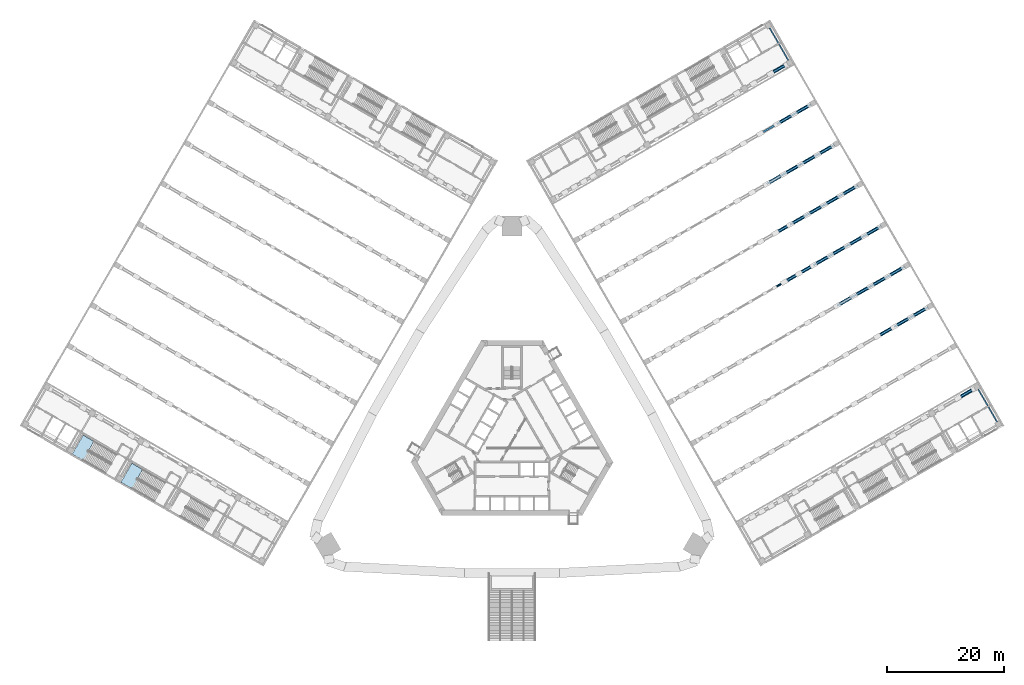
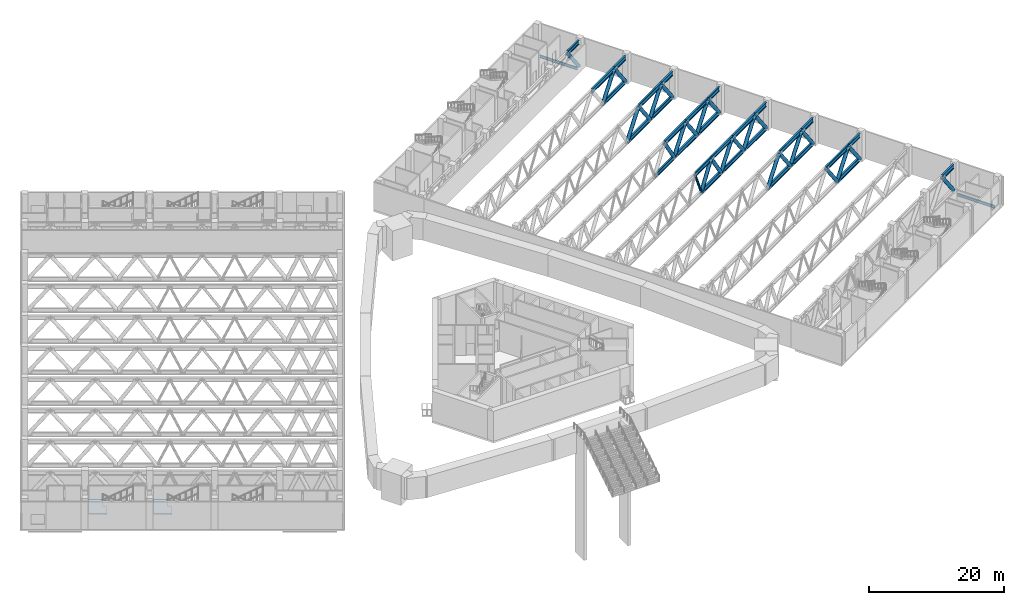
# One storey, part 11 of 37: 56 members, 2 beams, 2 slabs, 2 elements without a shape of their own.
"""IFC4 building model written with IfcOpenShell, lengths in metres."""

from ifc_helpers import new_model, si_unit, direction, frame, origin, origin_2d, place, context, subcontext, project, spatial, polyline, hollow_circle, i_section, outline, extrude, material, layer, layer_set, material_profile, profile_set, type_object, element, aggregate, save


model = new_model("IFC4")

# Units and contexts
model_context = context("Model", 3, precision=1e-05, world=origin(), true_north=direction((0.0, 1.0)))
body_context = subcontext(model_context, "Body", "Model", "MODEL_VIEW")
ifc_project = project(units=[si_unit("LENGTHUNIT", "METRE"), si_unit("AREAUNIT", "SQUARE_METRE"), si_unit("VOLUMEUNIT", "CUBIC_METRE"), si_unit("PLANEANGLEUNIT", "RADIAN"), si_unit("MASSUNIT", "GRAM", prefix="KILO")], contexts=[model_context])

# Site, building, storey
site_placement = place(None, origin())
site = spatial("IfcSite", under=ifc_project, at=site_placement, CompositionType="ELEMENT")
building_placement = place(site_placement, origin())
building = spatial("IfcBuilding", under=site, at=building_placement, Name="Mestral Congress Tower", CompositionType="ELEMENT")
storey_placement = place(building_placement, frame((0.0, 0.0, 16.199951171875)))
storey = spatial("IfcBuildingStorey", under=building, at=storey_placement, Name="L03", CompositionType="ELEMENT", Elevation=16.199951171875)

# Beams
ifc_material_1 = material(Name="Steel S355", Category="steel")
ifc_material_profile_1 = material_profile(ifc_material_1, i_section(OverallWidth=0.199951171875, OverallDepth=0.5, WebThickness=0.01025390625, FlangeThickness=0.01611328125, FilletRadius=0.02099609375, at=origin_2d()), Name="IPE 500")
ifc_profile_set_1 = profile_set([ifc_material_profile_1], Name="Steel S355")
beam_type = type_object("IfcBeamType", Name="Floor beam IPE 500 S355", PredefinedType="BEAM", material=ifc_profile_set_1)
beam_1_placement = place(storey_placement, frame((82.84228515625, 2.968994140625, -0.550048828125), z_axis=(-0.499999833739, 0.866025499775, 0.0), x_axis=(-0.866025499775, -0.499999833739, 0.0)))
element("IfcBeam", 1, at=beam_1_placement, inside=storey, type_object=beam_type, Name="BM-L03-E-U01F", PredefinedType="BEAM", context=body_context, shape_type="SweptSolid", body=[
    extrude(i_section(OverallWidth=0.199951171875, OverallDepth=0.5, WebThickness=0.01025390625, FlangeThickness=0.01611328125, FilletRadius=0.02099609375, at=origin_2d()), origin(), (0.0, 0.0, 1.0), 6.39990234375),
])
beam_2_placement = place(storey_placement, frame((47.1923828125, 64.716552734375, -0.550048828125), z_axis=(-0.500028443584, 0.866008981251, 0.0), x_axis=(-0.866008981251, -0.500028443584, 0.0)))
element("IfcBeam", 2, at=beam_2_placement, inside=storey, type_object=beam_type, Name="BM-L03-E-U10F", PredefinedType="BEAM", context=body_context, shape_type="SweptSolid", body=[
    extrude(i_section(OverallWidth=0.199951171875, OverallDepth=0.5, WebThickness=0.01025390625, FlangeThickness=0.01611328125, FilletRadius=0.02099609375, at=origin_2d()), origin(), (0.0, 0.0, 1.0), 6.400146484375),
])

# Members
ifc_material_profile_2 = material_profile(ifc_material_1, i_section(OverallWidth=0.300048828125, OverallDepth=0.800048828125, WebThickness=0.017578125, FlangeThickness=0.032958984375, FilletRadius=0.030029296875, at=origin_2d()), Name="HEB 800")
ifc_profile_set_2 = profile_set([ifc_material_profile_2], Name="Steel S355")
member_type_1 = type_object("IfcMemberType", Name="Truss chord HEB 800 S355", PredefinedType="CHORD", material=ifc_profile_set_2)
member_1_placement = place(storey_placement, frame((76.148193359375, 7.013671875, 4.699951171875), z_axis=(0.866002163101, 0.500040251884, 0.0), x_axis=(-0.500040251884, 0.866002163101, 0.0)))
element("IfcMember", 3, at=member_1_placement, inside=storey, type_object=member_type_1, Name="MB-E-T1-TC10", PredefinedType="CHORD", context=body_context, shape_type="SweptSolid", body=[
    extrude(i_section(OverallWidth=0.300048828125, OverallDepth=0.800048828125, WebThickness=0.017578125, FlangeThickness=0.032958984375, FilletRadius=0.030029296875, at=origin_2d()), origin(), (0.0, 0.0, 1.0), 3.324951171875),
])
for number, where, z_axis, x_axis, name in (
    (4, (65.2685546875, 19.20751953125, 0.400146484375), (0.86601134256, 0.500024353964, 0.0), (-0.500024353964, 0.86601134256, 0.0), "MB-E-T3-BC09"),
    (5, (62.388916015625, 17.545166015625, 4.699951171875), (0.866036417653, 0.499980922934, 0.0), (-0.499980922934, 0.866036417653, 0.0), "MB-E-T3-TC09"),
):
    element("IfcMember", number, at=place(storey_placement, frame(where, z_axis=z_axis, x_axis=x_axis)), inside=storey, type_object=member_type_1, Name=name, PredefinedType="CHORD", context=body_context, shape_type="SweptSolid", body=[
        extrude(i_section(OverallWidth=0.300048828125, OverallDepth=0.800048828125, WebThickness=0.017578125, FlangeThickness=0.032958984375, FilletRadius=0.030029296875, at=origin_2d()), origin(), (0.0, 0.0, 1.0), 6.650146484375),
    ])
member_2_placement = place(storey_placement, frame((68.148193359375, 20.8701171875, 4.699951171875), z_axis=(0.866002163101, 0.500040251884, 0.0), x_axis=(-0.500040251884, 0.866002163101, 0.0)))
element("IfcMember", 6, at=member_2_placement, inside=storey, type_object=member_type_1, Name="MB-E-T3-TC10", PredefinedType="CHORD", context=body_context, shape_type="SweptSolid", body=[
    extrude(i_section(OverallWidth=0.300048828125, OverallDepth=0.800048828125, WebThickness=0.017578125, FlangeThickness=0.032958984375, FilletRadius=0.030029296875, at=origin_2d()), origin(), (0.0, 0.0, 1.0), 3.324951171875),
])
for number, where, z_axis, x_axis, name in (
    (7, (55.509521484375, 22.810791015625, 0.400146484375), (0.866027239912, 0.49999681972, 0.0), (-0.49999681972, 0.866027239912, 0.0), "MB-E-T4-BC08"),
    (8, (61.2685546875, 26.1357421875, 0.400146484375), (0.866027239912, 0.49999681972, 0.0), (-0.49999681972, 0.866027239912, 0.0), "MB-E-T4-BC09"),
):
    element("IfcMember", number, at=place(storey_placement, frame(where, z_axis=z_axis, x_axis=x_axis)), inside=storey, type_object=member_type_1, Name=name, PredefinedType="CHORD", context=body_context, shape_type="SweptSolid", body=[
        extrude(i_section(OverallWidth=0.300048828125, OverallDepth=0.800048828125, WebThickness=0.017578125, FlangeThickness=0.032958984375, FilletRadius=0.030029296875, at=origin_2d()), origin(), (0.0, 0.0, 1.0), 6.64990234375),
    ])
member_3_placement = place(storey_placement, frame((58.388916015625, 24.473388671875, 4.699951171875), z_axis=(0.866036417653, 0.499980922934, 0.0), x_axis=(-0.499980922934, 0.866036417653, 0.0)))
element("IfcMember", 9, at=member_3_placement, inside=storey, type_object=member_type_1, Name="MB-E-T4-TC09", PredefinedType="CHORD", context=body_context, shape_type="SweptSolid", body=[
    extrude(i_section(OverallWidth=0.300048828125, OverallDepth=0.800048828125, WebThickness=0.017578125, FlangeThickness=0.032958984375, FilletRadius=0.030029296875, at=origin_2d()), origin(), (0.0, 0.0, 1.0), 6.650146484375),
])
member_4_placement = place(storey_placement, frame((64.148193359375, 27.79833984375, 4.699951171875), z_axis=(0.866033959199, 0.499985181294, 0.0), x_axis=(-0.499985181294, 0.866033959199, 0.0)))
element("IfcMember", 10, at=member_4_placement, inside=storey, type_object=member_type_1, Name="MB-E-T4-TC10", PredefinedType="CHORD", context=body_context, shape_type="SweptSolid", body=[
    extrude(i_section(OverallWidth=0.300048828125, OverallDepth=0.800048828125, WebThickness=0.017578125, FlangeThickness=0.032958984375, FilletRadius=0.030029296875, at=origin_2d()), origin(), (0.0, 0.0, 1.0), 3.32470703125),
])
member_5_placement = place(storey_placement, frame((46.486572265625, 26.839111328125, 0.400146484375), z_axis=(0.866032775405, 0.499987231761, 0.0), x_axis=(-0.499987231761, 0.866032775405, 0.0)))
element("IfcMember", 11, at=member_5_placement, inside=storey, type_object=member_type_1, Name="MB-E-T5-BC07", PredefinedType="CHORD", context=body_context, shape_type="SweptSolid", body=[
    extrude(i_section(OverallWidth=0.300048828125, OverallDepth=0.800048828125, WebThickness=0.017578125, FlangeThickness=0.032958984375, FilletRadius=0.030029296875, at=origin_2d()), origin(), (0.0, 0.0, 1.0), 5.800048828125),
])
for number, where, z_axis, x_axis, name in (
    (12, (51.509521484375, 29.739013671875, 0.400146484375), (0.866027239912, 0.49999681972, 0.0), (-0.49999681972, 0.866027239912, 0.0), "MB-E-T5-BC08"),
    (13, (57.2685546875, 33.06396484375, 0.400146484375), (0.866027239912, 0.49999681972, 0.0), (-0.49999681972, 0.866027239912, 0.0), "MB-E-T5-BC09"),
):
    element("IfcMember", number, at=place(storey_placement, frame(where, z_axis=z_axis, x_axis=x_axis)), inside=storey, type_object=member_type_1, Name=name, PredefinedType="CHORD", context=body_context, shape_type="SweptSolid", body=[
        extrude(i_section(OverallWidth=0.300048828125, OverallDepth=0.800048828125, WebThickness=0.017578125, FlangeThickness=0.032958984375, FilletRadius=0.030029296875, at=origin_2d()), origin(), (0.0, 0.0, 1.0), 6.64990234375),
    ])
member_6_placement = place(storey_placement, frame((44.841064453125, 25.888916015625, 4.699951171875), z_axis=(0.866015339567, 0.500017431331, 0.0), x_axis=(-0.500017431331, 0.866015339567, 0.0)))
element("IfcMember", 14, at=member_6_placement, inside=storey, type_object=member_type_1, Name="MB-E-T5-TC07", PredefinedType="CHORD", context=body_context, shape_type="SweptSolid", body=[
    extrude(i_section(OverallWidth=0.300048828125, OverallDepth=0.800048828125, WebThickness=0.017578125, FlangeThickness=0.032958984375, FilletRadius=0.030029296875, at=origin_2d()), origin(), (0.0, 0.0, 1.0), 4.800048828125),
])
member_7_placement = place(storey_placement, frame((48.998046875, 28.2890625, 4.699951171875), z_axis=(0.866016424762, 0.5000155518, 0.0), x_axis=(-0.5000155518, 0.866016424762, 0.0)))
element("IfcMember", 15, at=member_7_placement, inside=storey, type_object=member_type_1, Name="MB-E-T5-TC08", PredefinedType="CHORD", context=body_context, shape_type="SweptSolid", body=[
    extrude(i_section(OverallWidth=0.300048828125, OverallDepth=0.800048828125, WebThickness=0.017578125, FlangeThickness=0.032958984375, FilletRadius=0.030029296875, at=origin_2d()), origin(), (0.0, 0.0, 1.0), 6.224853515625),
])
member_8_placement = place(storey_placement, frame((54.388916015625, 31.401611328125, 4.699951171875), z_axis=(0.866036417653, 0.499980922934, 0.0), x_axis=(-0.499980922934, 0.866036417653, 0.0)))
element("IfcMember", 16, at=member_8_placement, inside=storey, type_object=member_type_1, Name="MB-E-T5-TC09", PredefinedType="CHORD", context=body_context, shape_type="SweptSolid", body=[
    extrude(i_section(OverallWidth=0.300048828125, OverallDepth=0.800048828125, WebThickness=0.017578125, FlangeThickness=0.032958984375, FilletRadius=0.030029296875, at=origin_2d()), origin(), (0.0, 0.0, 1.0), 6.650146484375),
])
member_9_placement = place(storey_placement, frame((60.148193359375, 34.7265625, 4.699951171875), z_axis=(0.866033959199, 0.499985181294, 0.0), x_axis=(-0.499985181294, 0.866033959199, 0.0)))
element("IfcMember", 17, at=member_9_placement, inside=storey, type_object=member_type_1, Name="MB-E-T5-TC10", PredefinedType="CHORD", context=body_context, shape_type="SweptSolid", body=[
    extrude(i_section(OverallWidth=0.300048828125, OverallDepth=0.800048828125, WebThickness=0.017578125, FlangeThickness=0.032958984375, FilletRadius=0.030029296875, at=origin_2d()), origin(), (0.0, 0.0, 1.0), 3.32470703125),
])
member_10_placement = place(storey_placement, frame((42.486572265625, 33.76708984375, 0.400146484375), z_axis=(0.86601454848, 0.500018801468, 0.0), x_axis=(-0.500018801468, 0.86601454848, 0.0)))
element("IfcMember", 18, at=member_10_placement, inside=storey, type_object=member_type_1, Name="MB-E-T6-BC07", PredefinedType="CHORD", context=body_context, shape_type="SweptSolid", body=[
    extrude(i_section(OverallWidth=0.300048828125, OverallDepth=0.800048828125, WebThickness=0.017578125, FlangeThickness=0.032958984375, FilletRadius=0.030029296875, at=origin_2d()), origin(), (0.0, 0.0, 1.0), 5.800048828125),
])
for number, where, z_axis, x_axis, name in (
    (19, (47.509521484375, 36.667236328125, 0.400146484375), (0.866027239912, 0.49999681972, 0.0), (-0.49999681972, 0.866027239912, 0.0), "MB-E-T6-BC08"),
    (20, (53.2685546875, 39.9921875, 0.400146484375), (0.866027239912, 0.49999681972, 0.0), (-0.49999681972, 0.866027239912, 0.0), "MB-E-T6-BC09"),
):
    element("IfcMember", number, at=place(storey_placement, frame(where, z_axis=z_axis, x_axis=x_axis)), inside=storey, type_object=member_type_1, Name=name, PredefinedType="CHORD", context=body_context, shape_type="SweptSolid", body=[
        extrude(i_section(OverallWidth=0.300048828125, OverallDepth=0.800048828125, WebThickness=0.017578125, FlangeThickness=0.032958984375, FilletRadius=0.030029296875, at=origin_2d()), origin(), (0.0, 0.0, 1.0), 6.64990234375),
    ])
member_11_placement = place(storey_placement, frame((44.998046875, 35.21728515625, 4.699951171875), z_axis=(0.866033407698, 0.499986136558, 0.0), x_axis=(-0.499986136558, 0.866033407698, 0.0)))
element("IfcMember", 21, at=member_11_placement, inside=storey, type_object=member_type_1, Name="MB-E-T6-TC08", PredefinedType="CHORD", context=body_context, shape_type="SweptSolid", body=[
    extrude(i_section(OverallWidth=0.300048828125, OverallDepth=0.800048828125, WebThickness=0.017578125, FlangeThickness=0.032958984375, FilletRadius=0.030029296875, at=origin_2d()), origin(), (0.0, 0.0, 1.0), 6.224853515625),
])
member_12_placement = place(storey_placement, frame((50.388916015625, 38.32958984375, 4.699951171875), z_axis=(0.866020521143, 0.500008456887, 0.0), x_axis=(-0.500008456887, 0.866020521143, 0.0)))
element("IfcMember", 22, at=member_12_placement, inside=storey, type_object=member_type_1, Name="MB-E-T6-TC09", PredefinedType="CHORD", context=body_context, shape_type="SweptSolid", body=[
    extrude(i_section(OverallWidth=0.300048828125, OverallDepth=0.800048828125, WebThickness=0.017578125, FlangeThickness=0.032958984375, FilletRadius=0.030029296875, at=origin_2d()), origin(), (0.0, 0.0, 1.0), 6.650390625),
])
member_13_placement = place(storey_placement, frame((56.148193359375, 41.65478515625, 4.699951171875), z_axis=(0.866033959199, 0.499985181294, 0.0), x_axis=(-0.499985181294, 0.866033959199, 0.0)))
element("IfcMember", 23, at=member_13_placement, inside=storey, type_object=member_type_1, Name="MB-E-T6-TC10", PredefinedType="CHORD", context=body_context, shape_type="SweptSolid", body=[
    extrude(i_section(OverallWidth=0.300048828125, OverallDepth=0.800048828125, WebThickness=0.017578125, FlangeThickness=0.032958984375, FilletRadius=0.030029296875, at=origin_2d()), origin(), (0.0, 0.0, 1.0), 3.32470703125),
])
for number, where, z_axis, x_axis, name in (
    (24, (43.509521484375, 43.595458984375, 0.400146484375), (0.866027239912, 0.49999681972, 0.0), (-0.49999681972, 0.866027239912, 0.0), "MB-E-T7-BC08"),
    (25, (49.2685546875, 46.92041015625, 0.400146484375), (0.866027239912, 0.49999681972, 0.0), (-0.49999681972, 0.866027239912, 0.0), "MB-E-T7-BC09"),
):
    element("IfcMember", number, at=place(storey_placement, frame(where, z_axis=z_axis, x_axis=x_axis)), inside=storey, type_object=member_type_1, Name=name, PredefinedType="CHORD", context=body_context, shape_type="SweptSolid", body=[
        extrude(i_section(OverallWidth=0.300048828125, OverallDepth=0.800048828125, WebThickness=0.017578125, FlangeThickness=0.032958984375, FilletRadius=0.030029296875, at=origin_2d()), origin(), (0.0, 0.0, 1.0), 6.64990234375),
    ])
member_14_placement = place(storey_placement, frame((46.388916015625, 45.2578125, 4.699951171875), z_axis=(0.866020521143, 0.500008456887, 0.0), x_axis=(-0.500008456887, 0.866020521143, 0.0)))
element("IfcMember", 26, at=member_14_placement, inside=storey, type_object=member_type_1, Name="MB-E-T7-TC09", PredefinedType="CHORD", context=body_context, shape_type="SweptSolid", body=[
    extrude(i_section(OverallWidth=0.300048828125, OverallDepth=0.800048828125, WebThickness=0.017578125, FlangeThickness=0.032958984375, FilletRadius=0.030029296875, at=origin_2d()), origin(), (0.0, 0.0, 1.0), 6.650390625),
])
member_15_placement = place(storey_placement, frame((52.148193359375, 48.5830078125, 4.699951171875), z_axis=(0.866033959199, 0.499985181294, 0.0), x_axis=(-0.499985181294, 0.866033959199, 0.0)))
element("IfcMember", 27, at=member_15_placement, inside=storey, type_object=member_type_1, Name="MB-E-T7-TC10", PredefinedType="CHORD", context=body_context, shape_type="SweptSolid", body=[
    extrude(i_section(OverallWidth=0.300048828125, OverallDepth=0.800048828125, WebThickness=0.017578125, FlangeThickness=0.032958984375, FilletRadius=0.030029296875, at=origin_2d()), origin(), (0.0, 0.0, 1.0), 3.32470703125),
])
member_16_placement = place(storey_placement, frame((45.2685546875, 53.8486328125, 0.400146484375), z_axis=(0.866027239912, 0.49999681972, 0.0), x_axis=(-0.49999681972, 0.866027239912, 0.0)))
element("IfcMember", 28, at=member_16_placement, inside=storey, type_object=member_type_1, Name="MB-E-T8-BC09", PredefinedType="CHORD", context=body_context, shape_type="SweptSolid", body=[
    extrude(i_section(OverallWidth=0.300048828125, OverallDepth=0.800048828125, WebThickness=0.017578125, FlangeThickness=0.032958984375, FilletRadius=0.030029296875, at=origin_2d()), origin(), (0.0, 0.0, 1.0), 6.64990234375),
])
member_17_placement = place(storey_placement, frame((42.388916015625, 52.18603515625, 4.699951171875), z_axis=(0.866036417653, 0.499980922934, 0.0), x_axis=(-0.499980922934, 0.866036417653, 0.0)))
element("IfcMember", 29, at=member_17_placement, inside=storey, type_object=member_type_1, Name="MB-E-T8-TC09", PredefinedType="CHORD", context=body_context, shape_type="SweptSolid", body=[
    extrude(i_section(OverallWidth=0.300048828125, OverallDepth=0.800048828125, WebThickness=0.017578125, FlangeThickness=0.032958984375, FilletRadius=0.030029296875, at=origin_2d()), origin(), (0.0, 0.0, 1.0), 6.650146484375),
])
for number, where, z_axis, x_axis, name in (
    (30, (48.148193359375, 55.510986328125, 4.699951171875), (0.866002163101, 0.500040251884, 0.0), (-0.500040251884, 0.866002163101, 0.0), "MB-E-T8-TC10"),
    (31, (44.148193359375, 62.439208984375, 4.699951171875), (0.866002163101, 0.500040251884, 0.0), (-0.500040251884, 0.866002163101, 0.0), "MB-E-T9-TC10"),
):
    element("IfcMember", number, at=place(storey_placement, frame(where, z_axis=z_axis, x_axis=x_axis)), inside=storey, type_object=member_type_1, Name=name, PredefinedType="CHORD", context=body_context, shape_type="SweptSolid", body=[
        extrude(i_section(OverallWidth=0.300048828125, OverallDepth=0.800048828125, WebThickness=0.017578125, FlangeThickness=0.032958984375, FilletRadius=0.030029296875, at=origin_2d()), origin(), (0.0, 0.0, 1.0), 3.324951171875),
    ])
ifc_material_profile_3 = material_profile(ifc_material_1, hollow_circle(Radius=0.203125, WallThickness=0.01611328125, at=origin_2d()), Name="CHS 406.4x16")
ifc_profile_set_3 = profile_set([ifc_material_profile_3], Name="Steel S355")
member_type_2 = type_object("IfcMemberType", Name="Truss diagonal CHS 406.4x16 S355", PredefinedType="BRACE", material=ifc_profile_set_3)
member_18_placement = place(storey_placement, frame((44.841064453125, 25.888916015625, 4.699951171875), z_axis=(0.35003763718, 0.202128558443, -0.914668081011), x_axis=(-0.500063520245, 0.865988727248, 0.0)))
element("IfcMember", 32, at=member_18_placement, inside=storey, type_object=member_type_2, Name="MB-E-T5-D12", PredefinedType="BRACE", context=body_context, shape_type="SweptSolid", body=[
    extrude(hollow_circle(Radius=0.203125, WallThickness=0.01611328125, at=origin_2d()), origin(), (0.0, 0.0, 1.0), 4.700927734375),
])
ifc_material_profile_4 = material_profile(ifc_material_1, hollow_circle(Radius=0.304931640625, WallThickness=0.02490234375, at=origin_2d()), Name="CHS 610x25")
ifc_profile_set_4 = profile_set([ifc_material_profile_4], Name="Steel S355")
member_type_3 = type_object("IfcMemberType", Name="Truss diagonal CHS 610x25 S355", PredefinedType="BRACE", material=ifc_profile_set_4)
member_19_placement = place(storey_placement, frame((76.148193359375, 7.013671875, 4.699951171875), z_axis=(0.529749391364, 0.305883784567, -0.791075655477), x_axis=(-0.500040251884, 0.866002163101, 0.0)))
element("IfcMember", 33, at=member_19_placement, inside=storey, type_object=member_type_3, Name="MB-E-T1-D18", PredefinedType="BRACE", context=body_context, shape_type="SweptSolid", body=[
    extrude(hollow_circle(Radius=0.304931640625, WallThickness=0.02490234375, at=origin_2d()), origin(), (0.0, 0.0, 1.0), 5.435302734375),
])
for number, where, z_axis, x_axis, name in (
    (34, (62.388916015625, 17.545166015625, 4.699951171875), (0.529788979969, 0.305835791828, -0.791067699467), (-0.499953387465, 0.866052313871, 0.0), "MB-E-T3-D16"),
    (35, (65.2685546875, 19.20751953125, 0.400146484375), (0.52978170185, 0.305876506113, 0.791056831961), (-0.500008456887, 0.866020521143, 0.0), "MB-E-T3-D17"),
):
    element("IfcMember", number, at=place(storey_placement, frame(where, z_axis=z_axis, x_axis=x_axis)), inside=storey, type_object=member_type_3, Name=name, PredefinedType="BRACE", context=body_context, shape_type="SweptSolid", body=[
        extrude(hollow_circle(Radius=0.304931640625, WallThickness=0.02490234375, at=origin_2d()), origin(), (0.0, 0.0, 1.0), 5.435546875),
    ])
for number, where, z_axis, x_axis, name in (
    (36, (68.148193359375, 20.8701171875, 4.699951171875), (0.529749391364, 0.305883784567, -0.791075655477), (-0.500040251884, 0.866002163101, 0.0), "MB-E-T3-D18"),
    (37, (55.509521484375, 22.810791015625, 0.400146484375), (0.529749391364, 0.305883784567, 0.791075655477), (-0.500040251884, 0.866002163101, 0.0), "MB-E-T4-D15"),
):
    element("IfcMember", number, at=place(storey_placement, frame(where, z_axis=z_axis, x_axis=x_axis)), inside=storey, type_object=member_type_3, Name=name, PredefinedType="BRACE", context=body_context, shape_type="SweptSolid", body=[
        extrude(hollow_circle(Radius=0.304931640625, WallThickness=0.02490234375, at=origin_2d()), origin(), (0.0, 0.0, 1.0), 5.435302734375),
    ])
for number, where, z_axis, x_axis, name in (
    (38, (58.388916015625, 24.473388671875, 4.699951171875), (0.529788979969, 0.305835791828, -0.791067699467), (-0.499953387465, 0.866052313871, 0.0), "MB-E-T4-D16"),
    (39, (61.2685546875, 26.1357421875, 0.400146484375), (0.52978170185, 0.305876506113, 0.791056831961), (-0.500008456887, 0.866020521143, 0.0), "MB-E-T4-D17"),
):
    element("IfcMember", number, at=place(storey_placement, frame(where, z_axis=z_axis, x_axis=x_axis)), inside=storey, type_object=member_type_3, Name=name, PredefinedType="BRACE", context=body_context, shape_type="SweptSolid", body=[
        extrude(hollow_circle(Radius=0.304931640625, WallThickness=0.02490234375, at=origin_2d()), origin(), (0.0, 0.0, 1.0), 5.435546875),
    ])
member_20_placement = place(storey_placement, frame((64.148193359375, 27.79833984375, 4.699951171875), z_axis=(0.529756669385, 0.305843069514, -0.791086523759), x_axis=(-0.499985181294, 0.866033959199, 0.0)))
element("IfcMember", 40, at=member_20_placement, inside=storey, type_object=member_type_3, Name="MB-E-T4-D18", PredefinedType="BRACE", context=body_context, shape_type="SweptSolid", body=[
    extrude(hollow_circle(Radius=0.304931640625, WallThickness=0.02490234375, at=origin_2d()), origin(), (0.0, 0.0, 1.0), 5.435302734375),
])
for number, where, z_axis, x_axis, name in (
    (41, (46.486572265625, 26.839111328125, 0.400146484375), (0.484247420666, 0.279570859467, 0.829062464544), (-0.499987231761, 0.866032775405, 0.0), "MB-E-T5-D13"),
    (42, (48.998046875, 28.2890625, 4.699951171875), (0.484247420666, 0.279570859467, -0.829062464544), (-0.499987231761, 0.866032775405, 0.0), "MB-E-T5-D14"),
):
    element("IfcMember", number, at=place(storey_placement, frame(where, z_axis=z_axis, x_axis=x_axis)), inside=storey, type_object=member_type_3, Name=name, PredefinedType="BRACE", context=body_context, shape_type="SweptSolid", body=[
        extrude(hollow_circle(Radius=0.304931640625, WallThickness=0.02490234375, at=origin_2d()), origin(), (0.0, 0.0, 1.0), 5.186279296875),
    ])
member_21_placement = place(storey_placement, frame((51.509521484375, 29.739013671875, 0.400146484375), z_axis=(0.529749391364, 0.305883784567, 0.791075655477), x_axis=(-0.500040251884, 0.866002163101, 0.0)))
element("IfcMember", 43, at=member_21_placement, inside=storey, type_object=member_type_3, Name="MB-E-T5-D15", PredefinedType="BRACE", context=body_context, shape_type="SweptSolid", body=[
    extrude(hollow_circle(Radius=0.304931640625, WallThickness=0.02490234375, at=origin_2d()), origin(), (0.0, 0.0, 1.0), 5.435302734375),
])
for number, where, z_axis, x_axis, name in (
    (44, (54.388916015625, 31.401611328125, 4.699951171875), (0.529788979969, 0.305835791828, -0.791067699467), (-0.499953387465, 0.866052313871, 0.0), "MB-E-T5-D16"),
    (45, (57.2685546875, 33.06396484375, 0.400146484375), (0.52978170185, 0.305876506113, 0.791056831961), (-0.500008456887, 0.866020521143, 0.0), "MB-E-T5-D17"),
):
    element("IfcMember", number, at=place(storey_placement, frame(where, z_axis=z_axis, x_axis=x_axis)), inside=storey, type_object=member_type_3, Name=name, PredefinedType="BRACE", context=body_context, shape_type="SweptSolid", body=[
        extrude(hollow_circle(Radius=0.304931640625, WallThickness=0.02490234375, at=origin_2d()), origin(), (0.0, 0.0, 1.0), 5.435546875),
    ])
member_22_placement = place(storey_placement, frame((60.148193359375, 34.7265625, 4.699951171875), z_axis=(0.529756669385, 0.305843069514, -0.791086523759), x_axis=(-0.499985181294, 0.866033959199, 0.0)))
element("IfcMember", 46, at=member_22_placement, inside=storey, type_object=member_type_3, Name="MB-E-T5-D18", PredefinedType="BRACE", context=body_context, shape_type="SweptSolid", body=[
    extrude(hollow_circle(Radius=0.304931640625, WallThickness=0.02490234375, at=origin_2d()), origin(), (0.0, 0.0, 1.0), 5.435302734375),
])
member_23_placement = place(storey_placement, frame((44.998046875, 35.21728515625, 4.699951171875), z_axis=(0.484247420666, 0.279570859467, -0.829062464544), x_axis=(-0.499987231761, 0.866032775405, 0.0)))
element("IfcMember", 47, at=member_23_placement, inside=storey, type_object=member_type_3, Name="MB-E-T6-D14", PredefinedType="BRACE", context=body_context, shape_type="SweptSolid", body=[
    extrude(hollow_circle(Radius=0.304931640625, WallThickness=0.02490234375, at=origin_2d()), origin(), (0.0, 0.0, 1.0), 5.186279296875),
])
member_24_placement = place(storey_placement, frame((47.509521484375, 36.667236328125, 0.400146484375), z_axis=(0.529756669385, 0.305843069514, 0.791086523759), x_axis=(-0.499985181294, 0.866033959199, 0.0)))
element("IfcMember", 48, at=member_24_placement, inside=storey, type_object=member_type_3, Name="MB-E-T6-D15", PredefinedType="BRACE", context=body_context, shape_type="SweptSolid", body=[
    extrude(hollow_circle(Radius=0.304931640625, WallThickness=0.02490234375, at=origin_2d()), origin(), (0.0, 0.0, 1.0), 5.435302734375),
])
for number, where, z_axis, x_axis, name in (
    (49, (50.388916015625, 38.32958984375, 4.699951171875), (0.52978170185, 0.305876506113, -0.791056831961), (-0.500008456887, 0.866020521143, 0.0), "MB-E-T6-D16"),
    (50, (53.2685546875, 39.9921875, 0.400146484375), (0.52978170185, 0.305876506113, 0.791056831961), (-0.500008456887, 0.866020521143, 0.0), "MB-E-T6-D17"),
):
    element("IfcMember", number, at=place(storey_placement, frame(where, z_axis=z_axis, x_axis=x_axis)), inside=storey, type_object=member_type_3, Name=name, PredefinedType="BRACE", context=body_context, shape_type="SweptSolid", body=[
        extrude(hollow_circle(Radius=0.304931640625, WallThickness=0.02490234375, at=origin_2d()), origin(), (0.0, 0.0, 1.0), 5.435546875),
    ])
for number, where, z_axis, x_axis, name in (
    (51, (56.148193359375, 41.65478515625, 4.699951171875), (0.529756669385, 0.305843069514, -0.791086523759), (-0.499985181294, 0.866033959199, 0.0), "MB-E-T6-D18"),
    (52, (43.509521484375, 43.595458984375, 0.400146484375), (0.529756669385, 0.305843069514, 0.791086523759), (-0.499985181294, 0.866033959199, 0.0), "MB-E-T7-D15"),
):
    element("IfcMember", number, at=place(storey_placement, frame(where, z_axis=z_axis, x_axis=x_axis)), inside=storey, type_object=member_type_3, Name=name, PredefinedType="BRACE", context=body_context, shape_type="SweptSolid", body=[
        extrude(hollow_circle(Radius=0.304931640625, WallThickness=0.02490234375, at=origin_2d()), origin(), (0.0, 0.0, 1.0), 5.435302734375),
    ])
for number, where, z_axis, x_axis, name in (
    (53, (46.388916015625, 45.2578125, 4.699951171875), (0.52978170185, 0.305876506113, -0.791056831961), (-0.500008456887, 0.866020521143, 0.0), "MB-E-T7-D16"),
    (54, (49.2685546875, 46.92041015625, 0.400146484375), (0.52978170185, 0.305876506113, 0.791056831961), (-0.500008456887, 0.866020521143, 0.0), "MB-E-T7-D17"),
):
    element("IfcMember", number, at=place(storey_placement, frame(where, z_axis=z_axis, x_axis=x_axis)), inside=storey, type_object=member_type_3, Name=name, PredefinedType="BRACE", context=body_context, shape_type="SweptSolid", body=[
        extrude(hollow_circle(Radius=0.304931640625, WallThickness=0.02490234375, at=origin_2d()), origin(), (0.0, 0.0, 1.0), 5.435546875),
    ])
member_25_placement = place(storey_placement, frame((52.148193359375, 48.5830078125, 4.699951171875), z_axis=(0.529756669385, 0.305843069514, -0.791086523759), x_axis=(-0.499985181294, 0.866033959199, 0.0)))
element("IfcMember", 55, at=member_25_placement, inside=storey, type_object=member_type_3, Name="MB-E-T7-D18", PredefinedType="BRACE", context=body_context, shape_type="SweptSolid", body=[
    extrude(hollow_circle(Radius=0.304931640625, WallThickness=0.02490234375, at=origin_2d()), origin(), (0.0, 0.0, 1.0), 5.435302734375),
])
member_26_placement = place(storey_placement, frame((45.2685546875, 53.8486328125, 0.400146484375), z_axis=(0.529788979969, 0.305835791828, 0.791067699467), x_axis=(-0.499953387465, 0.866052313871, 0.0)))
element("IfcMember", 56, at=member_26_placement, inside=storey, type_object=member_type_3, Name="MB-E-T8-D17", PredefinedType="BRACE", context=body_context, shape_type="SweptSolid", body=[
    extrude(hollow_circle(Radius=0.304931640625, WallThickness=0.02490234375, at=origin_2d()), origin(), (0.0, 0.0, 1.0), 5.435546875),
])
for number, where, z_axis, x_axis, name in (
    (57, (48.148193359375, 55.510986328125, 4.699951171875), (0.529749391364, 0.305883784567, -0.791075655477), (-0.500040251884, 0.866002163101, 0.0), "MB-E-T8-D18"),
    (58, (44.148193359375, 62.439208984375, 4.699951171875), (0.529749391364, 0.305883784567, -0.791075655477), (-0.500040251884, 0.866002163101, 0.0), "MB-E-T9-D18"),
):
    element("IfcMember", number, at=place(storey_placement, frame(where, z_axis=z_axis, x_axis=x_axis)), inside=storey, type_object=member_type_3, Name=name, PredefinedType="BRACE", context=body_context, shape_type="SweptSolid", body=[
        extrude(hollow_circle(Radius=0.304931640625, WallThickness=0.02490234375, at=origin_2d()), origin(), (0.0, 0.0, 1.0), 5.435302734375),
    ])

# Stair, slab
ifc_material_2 = material(Name="Concrete C40/50", Category="concrete")
stair_type = type_object("IfcStairType", Name="Podium exit stair 1800", PredefinedType="HALF_TURN_STAIR", material=ifc_material_2)
placement_1 = place(storey_placement, origin())
stair_1 = element("IfcStair", 59, at=placement_1, inside=storey, type_object=stair_type, Name="L03 Exit stair W5", PredefinedType="HALF_TURN_STAIR")
ifc_layer = layer(ifc_material_2, 0.199951171875)
ifc_layer_set = layer_set([ifc_layer], Name="Concrete C40/50")
slab_type = type_object("IfcSlabType", Name="Podium exit stair landing 200", PredefinedType="LANDING", material=ifc_layer_set)
placement_2 = place(storey_placement, frame((0.0, 0.0, 2.5)))
slab_1 = element("IfcSlab", 60, at=placement_2, type_object=slab_type, Name="PS-W5 landing 1", PredefinedType="LANDING", context=body_context, shape_type="SweptSolid", body=[
    extrude(outline(polyline([(-63.538818359375, -7.13671875), (-64.43896484375, -8.695556640625), (-66.79443359375, -7.33544921875), (-64.91943359375, -4.087890625), (-63.074951171875, -5.15283203125), (-64.0498046875, -6.841552734375), (-63.538818359375, -7.13671875)])), origin(), (0.0, 0.0, 1.0), 0.199951171875),
])
aggregate(stair_1, [slab_1])

stair_2 = element("IfcStair", 61, at=placement_1, inside=storey, type_object=stair_type, Name="L03 Exit stair W6", PredefinedType="HALF_TURN_STAIR")
slab_2 = element("IfcSlab", 62, at=placement_2, type_object=slab_type, Name="PS-W6 landing 1", PredefinedType="LANDING", context=body_context, shape_type="SweptSolid", body=[
    extrude(outline(polyline([(-71.852783203125, -2.336669921875), (-72.752685546875, -3.8955078125), (-75.1083984375, -2.535400390625), (-73.2333984375, 0.712158203125), (-71.388671875, -0.352783203125), (-72.36376953125, -2.041748046875), (-71.852783203125, -2.336669921875)])), origin(), (0.0, 0.0, 1.0), 0.199951171875),
])
aggregate(stair_2, [slab_2])

save(model, "model.ifc")
